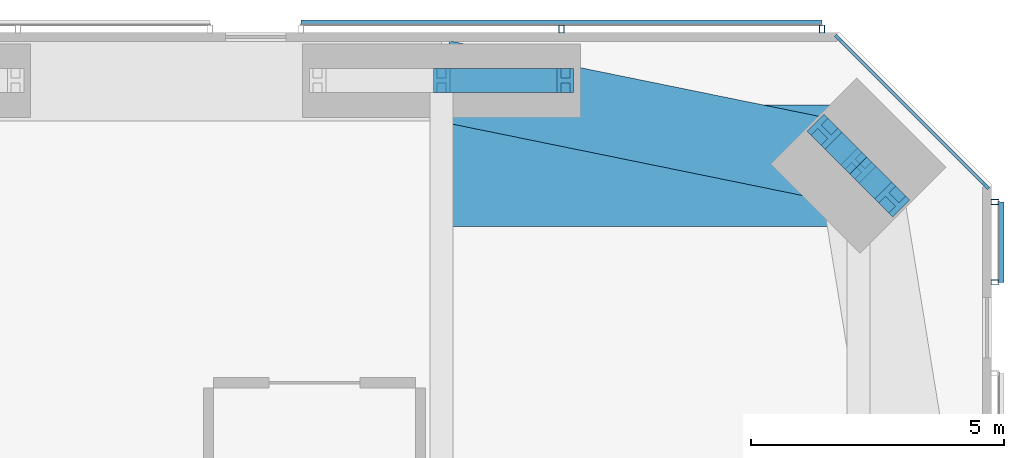
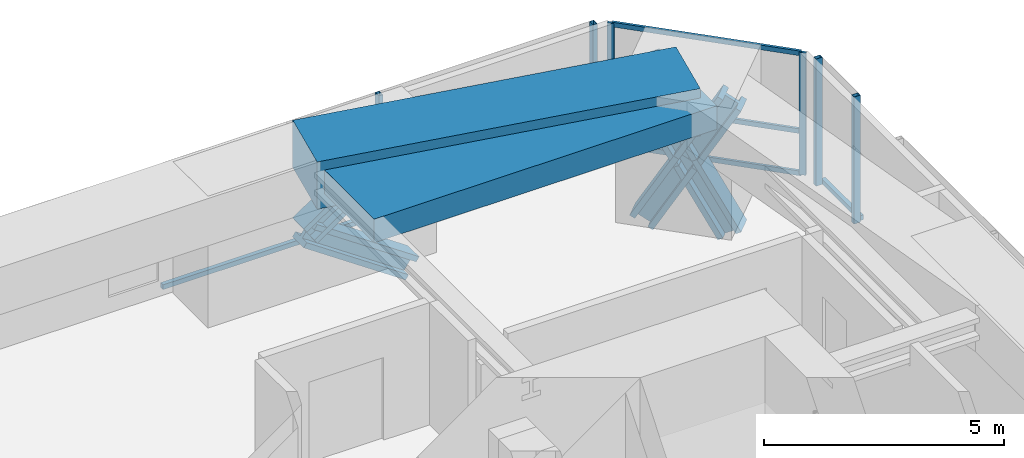
# One storey, part 15 of 24: 17 members, 2 beams, 3 elements without a shape of their own.
"""IFC4 building model written with IfcOpenShell, lengths in metres."""

from ifc_helpers import new_model, si_unit, direction, frame, origin, origin_2d, place, context, subcontext, project, spatial, rectangle, hollow_rectangle, i_section, extrude, material, material_profile, profile_set, type_object, element, aggregate, save


model = new_model("IFC4")

# Units and contexts
model_context = context("Model", 3, precision=1e-05, world=origin(), true_north=direction((0.0, 1.0)))
body_context = subcontext(model_context, "Body", "Model", "MODEL_VIEW")
ifc_project = project(units=[si_unit("LENGTHUNIT", "METRE"), si_unit("AREAUNIT", "SQUARE_METRE"), si_unit("VOLUMEUNIT", "CUBIC_METRE"), si_unit("PLANEANGLEUNIT", "RADIAN"), si_unit("MASSUNIT", "GRAM", prefix="KILO")], contexts=[model_context])

# Site, building, storey
site_placement = place(None, origin())
site = spatial("IfcSite", under=ifc_project, at=site_placement, CompositionType="ELEMENT")
building_placement = place(site_placement, origin())
building = spatial("IfcBuilding", under=site, at=building_placement, Name="Jalousie Tower", CompositionType="ELEMENT")
storey_placement = place(building_placement, frame((0.0, 0.0, 135.0)))
storey = spatial("IfcBuildingStorey", under=building, at=storey_placement, Name="L37", CompositionType="ELEMENT", Elevation=135.0)

# Curtain wall, members
ifc_material_1 = material(Name="Aluminium curtain wall", Category="aluminium")
curtain_wall_type_1 = type_object("IfcCurtainWallType", Name="CORNER WINDOW WALL", PredefinedType="USERDEFINED", material=ifc_material_1)
curtain_wall_1_placement = place(storey_placement, origin())
curtain_wall_1 = element("IfcCurtainWall", 1, at=curtain_wall_1_placement, inside=storey, type_object=curtain_wall_type_1, Name="Corner Window Wall L37 4", ObjectType="CORNER WINDOW WALL", PredefinedType="USERDEFINED")
ifc_material_2 = material(Name="Aluminium mullion", Category="aluminium")
ifc_material_profile_1 = material_profile(ifc_material_2, rectangle(XDim=0.06005859375, YDim=0.14990234375, at=origin_2d()), Name="MULLION 60x150")
ifc_profile_set_1 = profile_set([ifc_material_profile_1], Name="Aluminium mullion")
member_type_1 = type_object("IfcMemberType", Name="CORNER WINDOW WALL MULLION", PredefinedType="MULLION", material=ifc_profile_set_1)
member_1_placement = place(storey_placement, frame((49.391357421875, 34.969970703125, 0.0), z_axis=(0.0, 0.0, 1.0), x_axis=(-0.707106781187, -0.707106781187, 0.0)))
member_1 = element("IfcMember", 2, at=member_1_placement, type_object=member_type_1, Name="CW-C mullion 1", PredefinedType="MULLION", context=body_context, shape_type="SweptSolid", body=[
    extrude(rectangle(XDim=0.06005859375, YDim=0.14990234375, at=origin_2d()), origin(), (0.0, 0.0, 1.0), 3.110107421875),
])
member_2_placement = place(storey_placement, frame((46.469970703125, 37.891357421875, 0.0), z_axis=(0.0, 0.0, 1.0), x_axis=(-0.707106781187, -0.707106781187, 0.0)))
member_2 = element("IfcMember", 3, at=member_2_placement, type_object=member_type_1, Name="CW-C mullion 2", PredefinedType="MULLION", context=body_context, shape_type="SweptSolid", body=[
    extrude(rectangle(XDim=0.06005859375, YDim=0.14990234375, at=origin_2d()), origin(), (0.0, 0.0, 1.0), 3.110107421875),
])
ifc_material_3 = material(Name="Aluminium transom", Category="aluminium")
ifc_material_profile_2 = material_profile(ifc_material_3, rectangle(XDim=0.06005859375, YDim=0.1201171875, at=origin_2d()), Name="TRANSOM 60x120")
ifc_profile_set_2 = profile_set([ifc_material_profile_2], Name="Aluminium transom")
member_type_2 = type_object("IfcMemberType", Name="CORNER WINDOW WALL TRANSOM", PredefinedType="USERDEFINED", material=ifc_profile_set_2)
member_3_placement = place(storey_placement, frame((49.3701171875, 34.9912109375, 0.030029296875), z_axis=(-0.707106781187, 0.707106781187, 0.0), x_axis=(-0.707106781187, -0.707106781187, 0.0)))
member_3 = element("IfcMember", 4, at=member_3_placement, type_object=member_type_2, Name="CW-C transom 1.1", ObjectType="TRANSOM", PredefinedType="USERDEFINED", context=body_context, shape_type="SweptSolid", body=[
    extrude(rectangle(XDim=0.06005859375, YDim=0.1201171875, at=origin_2d()), origin(), (0.0, 0.0, 1.0), 4.0712890625),
])
member_4_placement = place(storey_placement, frame((49.3701171875, 34.9912109375, 1.10009765625), z_axis=(-0.707106781187, 0.707106781187, 0.0), x_axis=(-0.707106781187, -0.707106781187, 0.0)))
member_4 = element("IfcMember", 5, at=member_4_placement, type_object=member_type_2, Name="CW-C transom 1.2", ObjectType="TRANSOM", PredefinedType="USERDEFINED", context=body_context, shape_type="SweptSolid", body=[
    extrude(rectangle(XDim=0.06005859375, YDim=0.1201171875, at=origin_2d()), origin(), (0.0, 0.0, 1.0), 4.0712890625),
])
member_5_placement = place(storey_placement, frame((49.3701171875, 34.9912109375, 3.080078125), z_axis=(-0.707106781187, 0.707106781187, 0.0), x_axis=(-0.707106781187, -0.707106781187, 0.0)))
member_5 = element("IfcMember", 6, at=member_5_placement, type_object=member_type_2, Name="CW-C transom 1.3", ObjectType="TRANSOM", PredefinedType="USERDEFINED", context=body_context, shape_type="SweptSolid", body=[
    extrude(rectangle(XDim=0.06005859375, YDim=0.1201171875, at=origin_2d()), origin(), (0.0, 0.0, 1.0), 4.0712890625),
])
aggregate(curtain_wall_1, [member_1, member_2, member_3, member_4, member_5])

# Members
ifc_material_4 = material(Name="Steel ASTM A992 Grade 50", Category="steel")
ifc_material_profile_3 = material_profile(ifc_material_4, i_section(OverallWidth=0.472412109375, OverallDepth=0.5791015625, WebThickness=0.094970703125, FlangeThickness=0.1298828125, at=origin_2d()), Name="W14X808")
ifc_profile_set_3 = profile_set([ifc_material_profile_3], Name="Steel ASTM A992 Grade 50")
member_type_3 = type_object("IfcMemberType", Name="PERIMETER BRACE W14X808", PredefinedType="BRACE", material=ifc_profile_set_3)
for number, where, z_axis, x_axis, name in (
    (7, (47.540283203125, 34.697021484375, -0.60009765625), (-0.348789058631, 0.348789058631, 0.869880672943), (-0.707106781187, -0.707106781187, 0.0), "Perimeter brace 08 L37 part 1"),
    (8, (46.86865234375, 35.36865234375, 1.074951171875), (-0.348789058631, 0.348789058631, 0.869880672943), (-0.707106781187, -0.707106781187, 0.0), "Perimeter brace 08 L37 part 2"),
    (9, (46.197021484375, 36.040283203125, -0.60009765625), (0.348789058631, -0.348789058631, 0.869880672943), (0.707106781187, 0.707106781187, 0.0), "Perimeter brace 08 L37 part 3"),
    (10, (46.86865234375, 35.36865234375, 1.074951171875), (0.348789058631, -0.348789058631, 0.869880672943), (0.707106781187, 0.707106781187, 0.0), "Perimeter brace 08 L37 part 4"),
):
    element("IfcMember", number, at=place(storey_placement, frame(where, z_axis=z_axis, x_axis=x_axis)), inside=storey, type_object=member_type_3, Name=name, PredefinedType="BRACE", context=body_context, shape_type="SweptSolid", body=[
        extrude(i_section(OverallWidth=0.472412109375, OverallDepth=0.5791015625, WebThickness=0.094970703125, FlangeThickness=0.1298828125, at=origin_2d()), origin(), (0.0, 0.0, 1.0), 1.925537109375),
    ])
for number, where, z_axis, x_axis, name in (
    (11, (38.625, 37.050048828125, 1.074951171875), (0.825500916831, 0.0, 0.564400776321), (0.0, 1.0, 0.0), "Perimeter brace 09 L37 part 2"),
    (12, (41.074951171875, 37.050048828125, -0.60009765625), (-0.825500916831, 0.0, 0.564400776321), (0.0, -1.0, 0.0), "Perimeter brace 09 L37 part 3"),
):
    element("IfcMember", number, at=place(storey_placement, frame(where, z_axis=z_axis, x_axis=x_axis)), inside=storey, type_object=member_type_3, Name=name, PredefinedType="BRACE", context=body_context, shape_type="SweptSolid", body=[
        extrude(i_section(OverallWidth=0.472412109375, OverallDepth=0.5791015625, WebThickness=0.094970703125, FlangeThickness=0.1298828125, at=origin_2d()), origin(), (0.0, 0.0, 1.0), 2.9677734375),
    ])

# Beams
ifc_material_5 = material(Name="Concrete f'c 40 MPa", Category="concrete")
ifc_material_profile_4 = material_profile(ifc_material_5, rectangle(XDim=1.60009765625, YDim=1.199951171875, at=origin_2d()), Name="RC 1600x1200")
ifc_profile_set_4 = profile_set([ifc_material_profile_4], Name="Concrete f'c 40 MPa")
beam_type_1 = type_object("IfcBeamType", Name="RC BEAM 1600x1200", PredefinedType="BEAM", material=ifc_profile_set_4)
beam_1_placement = place(storey_placement, frame((46.86865234375, 35.36865234375, 2.75), z_axis=(-0.97982690954, 0.199848010602, 0.0), x_axis=(-0.199848010602, -0.97982690954, 0.0)))
element("IfcBeam", 13, at=beam_1_placement, inside=storey, type_object=beam_type_1, Name="Edge band beam 08-09 under L38", PredefinedType="BEAM", context=body_context, shape_type="SweptSolid", body=[
    extrude(rectangle(XDim=1.60009765625, YDim=1.199951171875, at=origin_2d()), origin(), (0.0, 0.0, 1.0), 8.413330078125),
])
ifc_material_6 = material(Name="Concrete f'c 40 MPa", Category="concrete")
ifc_material_profile_5 = material_profile(ifc_material_6, rectangle(XDim=2.39990234375, YDim=0.60009765625, at=origin_2d()), Name="RC 2400x600")
ifc_profile_set_5 = profile_set([ifc_material_profile_5], Name="Concrete f'c 40 MPa")
beam_type_2 = type_object("IfcBeamType", Name="RC BEAM 2400x600", PredefinedType="BEAM", material=ifc_profile_set_5)
beam_2_placement = place(storey_placement, frame((46.86865234375, 35.36865234375, 2.81005859375), z_axis=(-1.0, 0.0, 0.0), x_axis=(0.0, -1.0, 0.0)))
element("IfcBeam", 14, at=beam_2_placement, inside=storey, type_object=beam_type_2, Name="Floor band beam under L38", PredefinedType="BEAM", context=body_context, shape_type="SweptSolid", body=[
    extrude(rectangle(XDim=2.39990234375, YDim=0.60009765625, at=origin_2d()), origin(), (0.0, 0.0, 1.0), 8.24365234375),
])

# Curtain wall, members
ifc_material_7 = material(Name="Perforated aluminium sheet", Category="aluminium")
curtain_wall_type_2 = type_object("IfcCurtainWallType", Name="SOLAR SCREEN SS-1", PredefinedType="USERDEFINED", material=ifc_material_7)
curtain_wall_2_placement = place(storey_placement, origin())
curtain_wall_2 = element("IfcCurtainWall", 15, at=curtain_wall_2_placement, inside=storey, type_object=curtain_wall_type_2, Name="Solar screen L37", ObjectType="SOLAR SCREEN SS-1", PredefinedType="USERDEFINED")
ifc_material_8 = material(Name="Steel ASTM A500 Grade C", Category="steel")
ifc_material_profile_6 = material_profile(ifc_material_8, hollow_rectangle(XDim=0.1015625, YDim=0.15234375, WallThickness=0.00634765625, at=origin_2d()), Name="HSS6X4X1/4")
ifc_profile_set_6 = profile_set([ifc_material_profile_6], Name="Steel ASTM A500 Grade C")
member_type_4 = type_object("IfcMemberType", Name="SOLAR SCREEN SS-1 MULLION", PredefinedType="MULLION", material=ifc_profile_set_6)
member_6_placement = place(storey_placement, frame((49.5712890625, 33.06201171875, -0.1201171875), z_axis=(0.0, 0.0, 1.0), x_axis=(0.0, 1.0, 0.0)))
member_6 = element("IfcMember", 16, at=member_6_placement, type_object=member_type_4, Name="SS1 post 1", PredefinedType="MULLION", context=body_context, shape_type="SweptSolid", body=[
    extrude(hollow_rectangle(XDim=0.1015625, YDim=0.15234375, WallThickness=0.00634765625, at=origin_2d()), origin(), (0.0, 0.0, 1.0), 3.230224609375),
])
member_7_placement = place(storey_placement, frame((49.5712890625, 34.648681640625, -0.1201171875), z_axis=(0.0, 0.0, 1.0), x_axis=(0.0, 1.0, 0.0)))
member_7 = element("IfcMember", 17, at=member_7_placement, type_object=member_type_4, Name="SS1 post 2", PredefinedType="MULLION", context=body_context, shape_type="SweptSolid", body=[
    extrude(hollow_rectangle(XDim=0.1015625, YDim=0.15234375, WallThickness=0.00634765625, at=origin_2d()), origin(), (0.0, 0.0, 1.0), 3.230224609375),
])

curtain_wall_3_placement = place(storey_placement, origin())
curtain_wall_3 = element("IfcCurtainWall", 18, at=curtain_wall_3_placement, inside=storey, type_object=curtain_wall_type_2, Name="Solar screen L37", ObjectType="SOLAR SCREEN SS-1", PredefinedType="USERDEFINED")
member_8_placement = place(storey_placement, frame((46.148681640625, 38.0712890625, -0.1201171875), z_axis=(0.0, 0.0, 1.0), x_axis=(-1.0, 0.0, 0.0)))
member_8 = element("IfcMember", 19, at=member_8_placement, type_object=member_type_4, Name="SS1 post 1", PredefinedType="MULLION", context=body_context, shape_type="SweptSolid", body=[
    extrude(hollow_rectangle(XDim=0.1015625, YDim=0.15234375, WallThickness=0.00634765625, at=origin_2d()), origin(), (0.0, 0.0, 1.0), 3.230224609375),
])
member_9_placement = place(storey_placement, frame((40.998291015625, 38.0712890625, -0.1201171875), z_axis=(0.0, 0.0, 1.0), x_axis=(-1.0, 0.0, 0.0)))
member_9 = element("IfcMember", 20, at=member_9_placement, type_object=member_type_4, Name="SS1 post 2", PredefinedType="MULLION", context=body_context, shape_type="SweptSolid", body=[
    extrude(hollow_rectangle(XDim=0.1015625, YDim=0.15234375, WallThickness=0.00634765625, at=origin_2d()), origin(), (0.0, 0.0, 1.0), 3.230224609375),
])

# Member
ifc_material_9 = material(Name="Extruded aluminium screen rail", Category="aluminium")
ifc_material_profile_7 = material_profile(ifc_material_9, rectangle(XDim=0.1015625, YDim=0.1201171875, at=origin_2d()), Name="RAIL 102x120")
ifc_profile_set_7 = profile_set([ifc_material_profile_7], Name="Extruded aluminium screen rail")
member_type_5 = type_object("IfcMemberType", Name="SOLAR SCREEN SS-1 TRANSOM", PredefinedType="USERDEFINED", material=ifc_profile_set_7)
member_10_placement = place(storey_placement, frame((49.6982421875, 33.06201171875, -0.06005859375), z_axis=(0.0, 1.0, 0.0), x_axis=(-1.0, 0.0, 0.0)))
member_10 = element("IfcMember", 21, at=member_10_placement, type_object=member_type_5, Name="SS1 rail", ObjectType="TRANSOM", PredefinedType="USERDEFINED", context=body_context, shape_type="SweptSolid", body=[
    extrude(rectangle(XDim=0.1015625, YDim=0.1201171875, at=origin_2d()), origin(), (0.0, 0.0, 1.0), 1.586669921875),
])

aggregate(curtain_wall_2, [member_6, member_7, member_10])

member_11_placement = place(storey_placement, frame((46.148681640625, 38.1982421875, -0.06005859375), z_axis=(-1.0, 0.0, 0.0), x_axis=(0.0, -1.0, 0.0)))
member_11 = element("IfcMember", 22, at=member_11_placement, type_object=member_type_5, Name="SS1 rail", ObjectType="TRANSOM", PredefinedType="USERDEFINED", context=body_context, shape_type="SweptSolid", body=[
    extrude(rectangle(XDim=0.1015625, YDim=0.1201171875, at=origin_2d()), origin(), (0.0, 0.0, 1.0), 10.300537109375),
])

aggregate(curtain_wall_3, [member_8, member_9, member_11])

save(model, "model.ifc")
